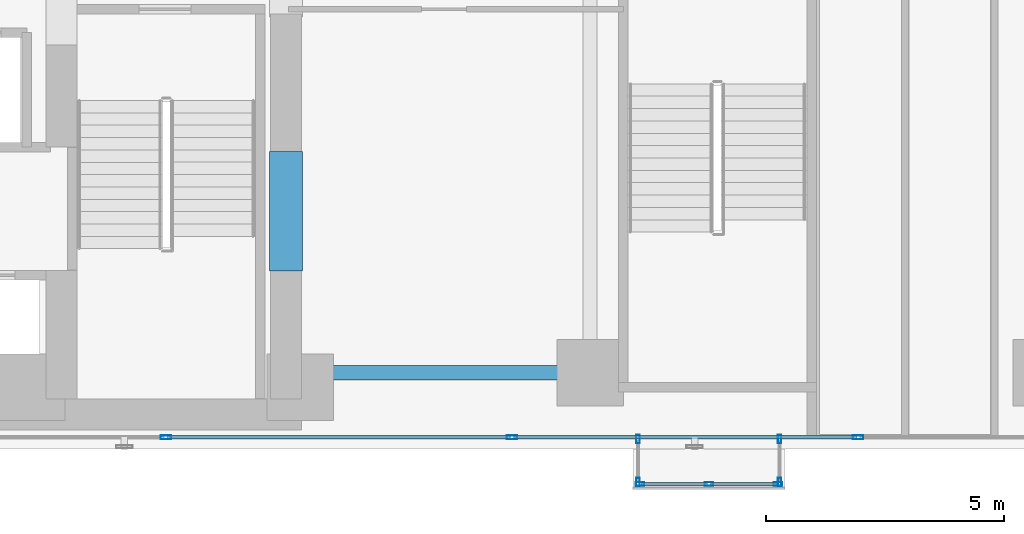
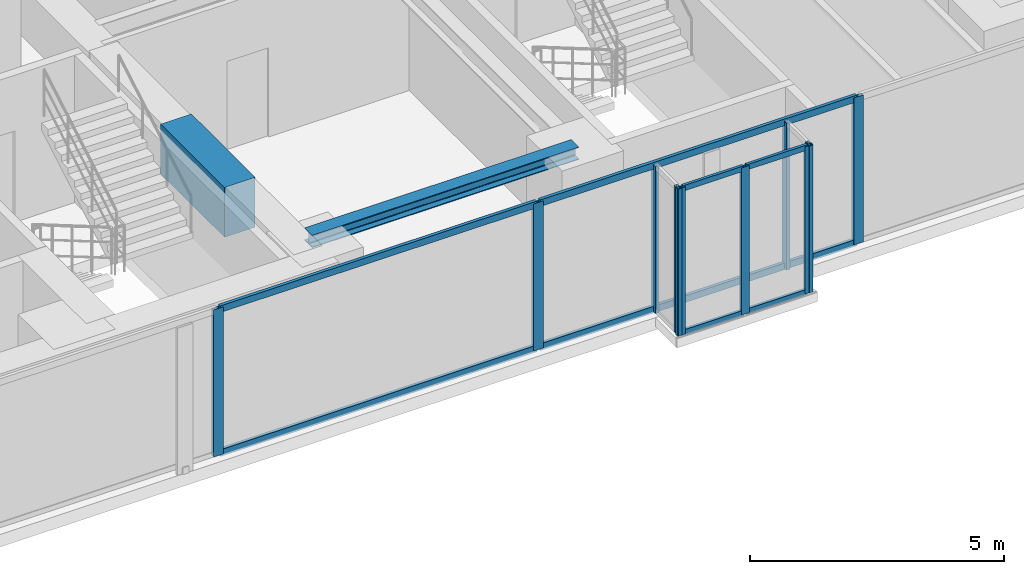
# One storey, part 4 of 26: 18 members, 2 beams, 4 elements without a shape of their own.
"""IFC4 building model written with IfcOpenShell, lengths in metres."""

from ifc_helpers import new_model, si_unit, direction, frame, origin, origin_with_axes, origin_2d, place, context, subcontext, project, spatial, rectangle, hollow_rectangle, i_section, extrude, source, transform, mapped, material, layer, layer_set, material_profile, profile_set, type_object, element, aggregate, save


model = new_model("IFC4")

# Units and contexts
model_context = context("Model", 3, precision=1e-05, world=origin(), true_north=direction((0.0, 1.0)))
body_context = subcontext(model_context, "Body", "Model", "MODEL_VIEW")
ifc_project = project(units=[si_unit("LENGTHUNIT", "METRE"), si_unit("AREAUNIT", "SQUARE_METRE"), si_unit("VOLUMEUNIT", "CUBIC_METRE"), si_unit("PLANEANGLEUNIT", "RADIAN"), si_unit("MASSUNIT", "GRAM", prefix="KILO")], contexts=[model_context])

# Site, building, storey
site_placement = place(None, origin())
site = spatial("IfcSite", under=ifc_project, at=site_placement, CompositionType="ELEMENT")
building_placement = place(site_placement, origin())
building = spatial("IfcBuilding", under=site, at=building_placement, Name="Kolvaren Waterfront Exchange", CompositionType="ELEMENT")
storey_placement = place(building_placement, frame((0.0, 0.0, 110.699951171875)))
storey = spatial("IfcBuildingStorey", under=building, at=storey_placement, Name="L28", CompositionType="ELEMENT", Elevation=110.699951171875)

# Beams
ifc_material_1 = material(Name="Steel S355", Category="steel")
ifc_material_profile_1 = material_profile(ifc_material_1, i_section(OverallWidth=0.300048828125, OverallDepth=0.300048828125, WebThickness=0.010986328125, FlangeThickness=0.01904296875, FilletRadius=0.027099609375, at=origin_2d()), Name="HEB300")
ifc_profile_set_1 = profile_set([ifc_material_profile_1], Name="Steel S355")
beam_type_1 = type_object("IfcBeamType", Name="STR-BM-HEB300", PredefinedType="SPANDREL", material=ifc_profile_set_1)
beam_1_placement = place(storey_placement, frame((21.125, 5.199951171875, 3.39013671875), z_axis=(1.0, 0.0, 0.0), x_axis=(0.0, 1.0, 0.0)))
element("IfcBeam", 1, at=beam_1_placement, inside=storey, type_object=beam_type_1, Name="L28 east-arm spandrel S1", PredefinedType="SPANDREL", context=body_context, shape_type="SweptSolid", body=[
    extrude(i_section(OverallWidth=0.300048828125, OverallDepth=0.300048828125, WebThickness=0.010986328125, FlangeThickness=0.01904296875, FilletRadius=0.027099609375, at=origin_2d()), origin(), (0.0, 0.0, 1.0), 6.074951171875),
])
ifc_material_2 = material(Name="Concrete C70/85", Category="concrete")
ifc_material_profile_2 = material_profile(ifc_material_2, rectangle(XDim=0.699951171875, YDim=1.199951171875, at=origin_2d()), Name="RC-CB-1200x700")
ifc_profile_set_2 = profile_set([ifc_material_profile_2], Name="Concrete C70/85")
beam_type_2 = type_object("IfcBeamType", Name="STR-CB-1200", PredefinedType="SPANDREL", material=ifc_profile_set_2)
beam_2_placement = place(storey_placement, frame((20.800048828125, 7.340087890625, 2.93994140625), z_axis=(0.0, 1.0, 0.0), x_axis=(-1.0, 0.0, 0.0)))
element("IfcBeam", 2, at=beam_2_placement, inside=storey, type_object=beam_type_2, Name="L28 core coupling beam 1", PredefinedType="SPANDREL", context=body_context, shape_type="SweptSolid", body=[
    extrude(rectangle(XDim=0.699951171875, YDim=1.199951171875, at=origin_2d()), origin(), (0.0, 0.0, 1.0), 2.52001953125),
])

# Curtain wall, members
ifc_material_3 = material(Name="Anodised bronze aluminium 6063-T6", Category="aluminium")
ifc_layer_1 = layer(ifc_material_3, 0.219970703125, Name="Anodised bronze aluminium 6063-T6")
ifc_layer_set_1 = layer_set([ifc_layer_1], Name="Anodised bronze aluminium 6063-T6")
curtain_wall_type_1 = type_object("IfcCurtainWallType", Name="ARC-CW-SYS3", PredefinedType="USERDEFINED", material=ifc_layer_set_1)
curtain_wall_1_placement = place(storey_placement, origin())
curtain_wall_1 = element("IfcCurtainWall", 3, at=curtain_wall_1_placement, inside=storey, type_object=curtain_wall_type_1, Name="L28 stick curtain wall CW3 (CW-L28-BOX-W)", ObjectType="STICK CURTAIN WALL", PredefinedType="USERDEFINED")
ifc_material_profile_3 = material_profile(ifc_material_3, hollow_rectangle(XDim=0.074951171875, YDim=0.179931640625, WallThickness=0.00439453125, at=origin_2d()), Name="ALU-MUL-180x75x4.5")
ifc_profile_set_3 = profile_set([ifc_material_profile_3], Name="Anodised bronze aluminium 6063-T6")
member_type_1 = type_object("IfcMemberType", Name="ARC-CWM-180", PredefinedType="MULLION", material=ifc_profile_set_3)
shared_shape_1 = source(origin_with_axes(), body_context, "Body", "SweptSolid", [
    extrude(hollow_rectangle(XDim=0.074951171875, YDim=0.179931640625, WallThickness=0.00439453125, at=origin_2d()), origin(), (0.0, 0.0, 1.0), 3.5400390625),
])
member_1_placement = place(storey_placement, frame((28.2099609375, 3.802490234375, 0.0), z_axis=(0.0, 0.0, 1.0), x_axis=(1.0, 0.0, 0.0)))
member_1 = element("IfcMember", 4, at=member_1_placement, type_object=member_type_1, Name="CW3 mullion 1", PredefinedType="MULLION", context=body_context, shape_type="MappedRepresentation", body=[
    mapped(shared_shape_1, transform((0.0, 0.0, 0.0), x_axis=(1.0, 0.0, 0.0), y_axis=(0.0, 1.0, 0.0), z_axis=(0.0, 0.0, 1.0), scale=1.0)),
])
member_2_placement = place(storey_placement, frame((28.2099609375, 2.8974609375, 0.0), z_axis=(0.0, 0.0, 1.0), x_axis=(1.0, 0.0, 0.0)))
member_2 = element("IfcMember", 5, at=member_2_placement, type_object=member_type_1, Name="CW3 mullion 2", PredefinedType="MULLION", context=body_context, shape_type="MappedRepresentation", body=[
    mapped(shared_shape_1, transform((0.0, 0.0, 0.0), x_axis=(1.0, 0.0, 0.0), y_axis=(0.0, 1.0, 0.0), z_axis=(0.0, 0.0, 1.0), scale=1.0)),
])
aggregate(curtain_wall_1, [member_1, member_2])

curtain_wall_2_placement = place(storey_placement, origin())
curtain_wall_2 = element("IfcCurtainWall", 6, at=curtain_wall_2_placement, inside=storey, type_object=curtain_wall_type_1, Name="L28 stick curtain wall CW3 (CW-L28-BOX)", ObjectType="STICK CURTAIN WALL", PredefinedType="USERDEFINED")
member_3_placement = place(storey_placement, frame((28.24755859375, 2.860107421875, 0.0), z_axis=(0.0, 0.0, 1.0), x_axis=(0.0, 1.0, 0.0)))
member_3 = element("IfcMember", 7, at=member_3_placement, type_object=member_type_1, Name="CW3 mullion 1", PredefinedType="MULLION", context=body_context, shape_type="MappedRepresentation", body=[
    mapped(shared_shape_1, transform((0.0, 0.0, 0.0), x_axis=(1.0, 0.0, 0.0), y_axis=(0.0, 1.0, 0.0), z_axis=(0.0, 0.0, 1.0), scale=1.0)),
])
member_4_placement = place(storey_placement, frame((29.699951171875, 2.860107421875, 0.0), z_axis=(0.0, 0.0, 1.0), x_axis=(0.0, 1.0, 0.0)))
member_4 = element("IfcMember", 8, at=member_4_placement, type_object=member_type_1, Name="CW3 mullion 2", PredefinedType="MULLION", context=body_context, shape_type="MappedRepresentation", body=[
    mapped(shared_shape_1, transform((0.0, 0.0, 0.0), x_axis=(1.0, 0.0, 0.0), y_axis=(0.0, 1.0, 0.0), z_axis=(0.0, 0.0, 1.0), scale=1.0)),
])
member_5_placement = place(storey_placement, frame((31.152587890625, 2.860107421875, 0.0), z_axis=(0.0, 0.0, 1.0), x_axis=(0.0, 1.0, 0.0)))
member_5 = element("IfcMember", 9, at=member_5_placement, type_object=member_type_1, Name="CW3 mullion 3", PredefinedType="MULLION", context=body_context, shape_type="MappedRepresentation", body=[
    mapped(shared_shape_1, transform((0.0, 0.0, 0.0), x_axis=(1.0, 0.0, 0.0), y_axis=(0.0, 1.0, 0.0), z_axis=(0.0, 0.0, 1.0), scale=1.0)),
])

curtain_wall_3_placement = place(storey_placement, origin())
curtain_wall_3 = element("IfcCurtainWall", 10, at=curtain_wall_3_placement, inside=storey, type_object=curtain_wall_type_1, Name="L28 stick curtain wall CW3 (CW-L28-BOX-E)", ObjectType="STICK CURTAIN WALL", PredefinedType="USERDEFINED")
member_6_placement = place(storey_placement, frame((31.18994140625, 2.8974609375, 0.0), z_axis=(0.0, 0.0, 1.0), x_axis=(-1.0, 0.0, 0.0)))
member_6 = element("IfcMember", 11, at=member_6_placement, type_object=member_type_1, Name="CW3 mullion 1", PredefinedType="MULLION", context=body_context, shape_type="MappedRepresentation", body=[
    mapped(shared_shape_1, transform((0.0, 0.0, 0.0), x_axis=(1.0, 0.0, 0.0), y_axis=(0.0, 1.0, 0.0), z_axis=(0.0, 0.0, 1.0), scale=1.0)),
])
member_7_placement = place(storey_placement, frame((31.18994140625, 3.802490234375, 0.0), z_axis=(0.0, 0.0, 1.0), x_axis=(-1.0, 0.0, 0.0)))
member_7 = element("IfcMember", 12, at=member_7_placement, type_object=member_type_1, Name="CW3 mullion 2", PredefinedType="MULLION", context=body_context, shape_type="MappedRepresentation", body=[
    mapped(shared_shape_1, transform((0.0, 0.0, 0.0), x_axis=(1.0, 0.0, 0.0), y_axis=(0.0, 1.0, 0.0), z_axis=(0.0, 0.0, 1.0), scale=1.0)),
])
aggregate(curtain_wall_3, [member_6, member_7])

# Member
ifc_material_profile_4 = material_profile(ifc_material_3, hollow_rectangle(XDim=0.06494140625, YDim=0.1298828125, WallThickness=0.00390625, at=origin_2d()), Name="ALU-TRN-130x65x4")
ifc_profile_set_4 = profile_set([ifc_material_profile_4], Name="Anodised bronze aluminium 6063-T6")
member_type_2 = type_object("IfcMemberType", Name="ARC-CWT-130", PredefinedType="USERDEFINED", material=ifc_profile_set_4)
shared_shape_2 = source(origin_with_axes(), body_context, "Body", "SweptSolid", [
    extrude(hollow_rectangle(XDim=0.06494140625, YDim=0.1298828125, WallThickness=0.00390625, at=origin_2d()), origin(), (0.0, 0.0, 1.0), 1.377685546875),
])
member_8_placement = place(storey_placement, frame((28.284912109375, 2.860107421875, 0.032470703125), z_axis=(1.0, 0.0, 0.0), x_axis=(0.0, 1.0, 0.0)))
member_8 = element("IfcMember", 13, at=member_8_placement, type_object=member_type_2, Name="CW3 transom 1.1", ObjectType="TRANSOM", PredefinedType="USERDEFINED", context=body_context, shape_type="MappedRepresentation", body=[
    mapped(shared_shape_2, transform((0.0, 0.0, 0.0), x_axis=(1.0, 0.0, 0.0), y_axis=(0.0, 1.0, 0.0), z_axis=(0.0, 0.0, 1.0), scale=1.0)),
])

member_9_placement = place(storey_placement, frame((28.284912109375, 2.860107421875, 3.507568359375), z_axis=(1.0, 0.0, 0.0), x_axis=(0.0, 1.0, 0.0)))
member_9 = element("IfcMember", 14, at=member_9_placement, type_object=member_type_2, Name="CW3 transom 1.2", ObjectType="TRANSOM", PredefinedType="USERDEFINED", context=body_context, shape_type="MappedRepresentation", body=[
    mapped(shared_shape_2, transform((0.0, 0.0, 0.0), x_axis=(1.0, 0.0, 0.0), y_axis=(0.0, 1.0, 0.0), z_axis=(0.0, 0.0, 1.0), scale=1.0)),
])

shared_shape_3 = source(origin_with_axes(), body_context, "Body", "SweptSolid", [
    extrude(hollow_rectangle(XDim=0.06494140625, YDim=0.1298828125, WallThickness=0.00390625, at=origin_2d()), origin(), (0.0, 0.0, 1.0), 1.37744140625),
])
member_10_placement = place(storey_placement, frame((29.737548828125, 2.860107421875, 0.032470703125), z_axis=(1.0, 0.0, 0.0), x_axis=(0.0, 1.0, 0.0)))
member_10 = element("IfcMember", 15, at=member_10_placement, type_object=member_type_2, Name="CW3 transom 2.1", ObjectType="TRANSOM", PredefinedType="USERDEFINED", context=body_context, shape_type="MappedRepresentation", body=[
    mapped(shared_shape_3, transform((0.0, 0.0, 0.0), x_axis=(1.0, 0.0, 0.0), y_axis=(0.0, 1.0, 0.0), z_axis=(0.0, 0.0, 1.0), scale=1.0)),
])

member_11_placement = place(storey_placement, frame((29.737548828125, 2.860107421875, 3.507568359375), z_axis=(1.0, 0.0, 0.0), x_axis=(0.0, 1.0, 0.0)))
member_11 = element("IfcMember", 16, at=member_11_placement, type_object=member_type_2, Name="CW3 transom 2.2", ObjectType="TRANSOM", PredefinedType="USERDEFINED", context=body_context, shape_type="MappedRepresentation", body=[
    mapped(shared_shape_3, transform((0.0, 0.0, 0.0), x_axis=(1.0, 0.0, 0.0), y_axis=(0.0, 1.0, 0.0), z_axis=(0.0, 0.0, 1.0), scale=1.0)),
])

aggregate(curtain_wall_2, [member_3, member_4, member_5, member_8, member_9, member_10, member_11])

# Curtain wall, members
ifc_layer_2 = layer(ifc_material_3, 0.219970703125, Name="Anodised bronze aluminium 6063-T6")
ifc_layer_set_2 = layer_set([ifc_layer_2], Name="Anodised bronze aluminium 6063-T6")
curtain_wall_type_2 = type_object("IfcCurtainWallType", Name="ARC-CW-SYS4", PredefinedType="USERDEFINED", material=ifc_layer_set_2)
curtain_wall_4_placement = place(storey_placement, origin())
curtain_wall_4 = element("IfcCurtainWall", 17, at=curtain_wall_4_placement, inside=storey, type_object=curtain_wall_type_2, Name="L28 stick curtain wall CW4 (CW-L28-S)", ObjectType="STICK CURTAIN WALL", PredefinedType="USERDEFINED")
ifc_material_4 = material(Name="Anodised aluminium 6063-T6", Category="aluminium")
ifc_material_profile_5 = material_profile(ifc_material_4, hollow_rectangle(XDim=0.080078125, YDim=0.219970703125, WallThickness=0.0048828125, at=origin_2d()), Name="ALU-MUL-220x80x5")
ifc_profile_set_5 = profile_set([ifc_material_profile_5], Name="Anodised aluminium 6063-T6")
member_type_3 = type_object("IfcMemberType", Name="ARC-CWM-220", PredefinedType="MULLION", material=ifc_profile_set_5)
shared_shape_4 = source(origin_with_axes(), body_context, "Body", "SweptSolid", [
    extrude(hollow_rectangle(XDim=0.080078125, YDim=0.219970703125, WallThickness=0.0048828125, at=origin_2d()), origin(), (0.0, 0.0, 1.0), 3.5400390625),
])
member_12_placement = place(storey_placement, frame((18.271484375, 3.840087890625, 0.0), z_axis=(0.0, 0.0, 1.0), x_axis=(0.0, 1.0, 0.0)))
member_12 = element("IfcMember", 18, at=member_12_placement, type_object=member_type_3, Name="CW4 mullion 3", PredefinedType="MULLION", context=body_context, shape_type="MappedRepresentation", body=[
    mapped(shared_shape_4, transform((0.0, 0.0, 0.0), x_axis=(1.0, 0.0, 0.0), y_axis=(0.0, 1.0, 0.0), z_axis=(0.0, 0.0, 1.0), scale=1.0)),
])
member_13_placement = place(storey_placement, frame((25.55712890625, 3.840087890625, 0.0), z_axis=(0.0, 0.0, 1.0), x_axis=(0.0, 1.0, 0.0)))
member_13 = element("IfcMember", 19, at=member_13_placement, type_object=member_type_3, Name="CW4 mullion 4", PredefinedType="MULLION", context=body_context, shape_type="MappedRepresentation", body=[
    mapped(shared_shape_4, transform((0.0, 0.0, 0.0), x_axis=(1.0, 0.0, 0.0), y_axis=(0.0, 1.0, 0.0), z_axis=(0.0, 0.0, 1.0), scale=1.0)),
])
member_14_placement = place(storey_placement, frame((32.8427734375, 3.840087890625, 0.0), z_axis=(0.0, 0.0, 1.0), x_axis=(0.0, 1.0, 0.0)))
member_14 = element("IfcMember", 20, at=member_14_placement, type_object=member_type_3, Name="CW4 mullion 5", PredefinedType="MULLION", context=body_context, shape_type="MappedRepresentation", body=[
    mapped(shared_shape_4, transform((0.0, 0.0, 0.0), x_axis=(1.0, 0.0, 0.0), y_axis=(0.0, 1.0, 0.0), z_axis=(0.0, 0.0, 1.0), scale=1.0)),
])
ifc_material_profile_6 = material_profile(ifc_material_4, hollow_rectangle(XDim=0.074951171875, YDim=0.159912109375, WallThickness=0.00439453125, at=origin_2d()), Name="ALU-TRN-160x75x4.5")
ifc_profile_set_6 = profile_set([ifc_material_profile_6], Name="Anodised aluminium 6063-T6")
member_type_4 = type_object("IfcMemberType", Name="ARC-CWT-160", PredefinedType="USERDEFINED", material=ifc_profile_set_6)
shared_shape_5 = source(origin_with_axes(), body_context, "Body", "SweptSolid", [
    extrude(hollow_rectangle(XDim=0.074951171875, YDim=0.159912109375, WallThickness=0.00439453125, at=origin_2d()), origin(), (0.0, 0.0, 1.0), 7.205810546875),
])
member_15_placement = place(storey_placement, frame((25.59716796875, 3.840087890625, 0.03759765625), z_axis=(1.0, 0.0, 0.0), x_axis=(0.0, 1.0, 0.0)))
member_15 = element("IfcMember", 21, at=member_15_placement, type_object=member_type_4, Name="CW4 transom 4.1", ObjectType="TRANSOM", PredefinedType="USERDEFINED", context=body_context, shape_type="MappedRepresentation", body=[
    mapped(shared_shape_5, transform((0.0, 0.0, 0.0), x_axis=(1.0, 0.0, 0.0), y_axis=(0.0, 1.0, 0.0), z_axis=(0.0, 0.0, 1.0), scale=1.0)),
])
member_16_placement = place(storey_placement, frame((25.59716796875, 3.840087890625, 3.50244140625), z_axis=(1.0, 0.0, 0.0), x_axis=(0.0, 1.0, 0.0)))
member_16 = element("IfcMember", 22, at=member_16_placement, type_object=member_type_4, Name="CW4 transom 4.2", ObjectType="TRANSOM", PredefinedType="USERDEFINED", context=body_context, shape_type="MappedRepresentation", body=[
    mapped(shared_shape_5, transform((0.0, 0.0, 0.0), x_axis=(1.0, 0.0, 0.0), y_axis=(0.0, 1.0, 0.0), z_axis=(0.0, 0.0, 1.0), scale=1.0)),
])
shared_shape_6 = source(origin_with_axes(), body_context, "Body", "SweptSolid", [
    extrude(hollow_rectangle(XDim=0.074951171875, YDim=0.159912109375, WallThickness=0.00439453125, at=origin_2d()), origin(), (0.0, 0.0, 1.0), 7.20556640625),
])
member_17_placement = place(storey_placement, frame((18.3115234375, 3.840087890625, 0.03759765625), z_axis=(1.0, 0.0, 0.0), x_axis=(0.0, 1.0, 0.0)))
member_17 = element("IfcMember", 23, at=member_17_placement, type_object=member_type_4, Name="CW4 transom 3.1", ObjectType="TRANSOM", PredefinedType="USERDEFINED", context=body_context, shape_type="MappedRepresentation", body=[
    mapped(shared_shape_6, transform((0.0, 0.0, 0.0), x_axis=(1.0, 0.0, 0.0), y_axis=(0.0, 1.0, 0.0), z_axis=(0.0, 0.0, 1.0), scale=1.0)),
])
member_18_placement = place(storey_placement, frame((18.3115234375, 3.840087890625, 3.50244140625), z_axis=(1.0, 0.0, 0.0), x_axis=(0.0, 1.0, 0.0)))
member_18 = element("IfcMember", 24, at=member_18_placement, type_object=member_type_4, Name="CW4 transom 3.2", ObjectType="TRANSOM", PredefinedType="USERDEFINED", context=body_context, shape_type="MappedRepresentation", body=[
    mapped(shared_shape_6, transform((0.0, 0.0, 0.0), x_axis=(1.0, 0.0, 0.0), y_axis=(0.0, 1.0, 0.0), z_axis=(0.0, 0.0, 1.0), scale=1.0)),
])
aggregate(curtain_wall_4, [member_12, member_13, member_14, member_17, member_18, member_15, member_16])

save(model, "model.ifc")
